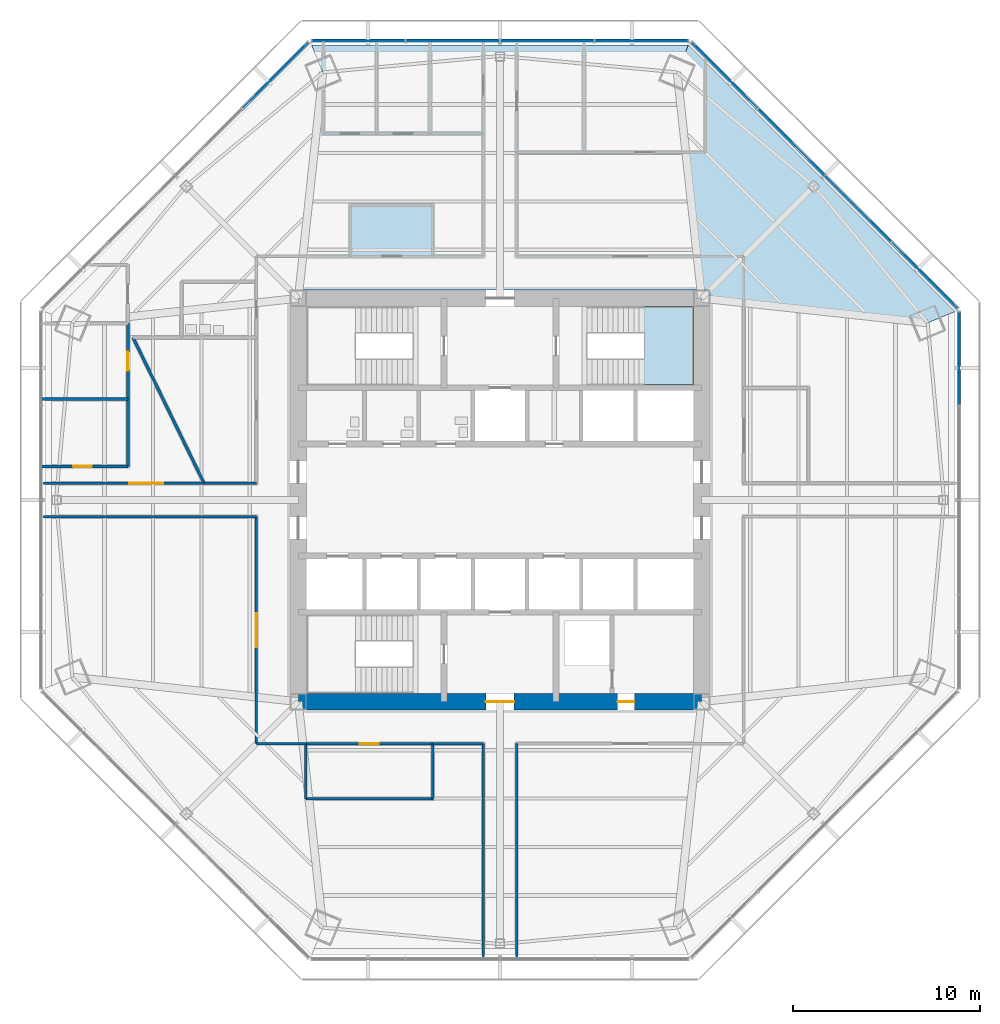
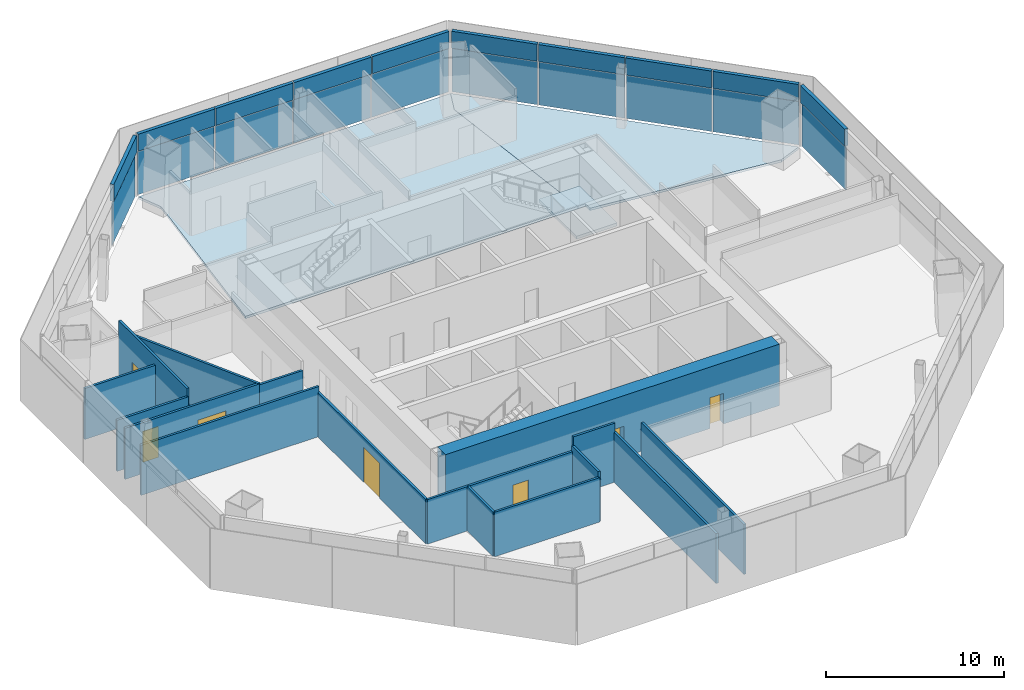
# One storey, part 8 of 14: 20 plates, 17 walls, 7 doors, 3 slabs, 7 openings, 5 elements without a shape of their own.
"""IFC4 building model written with IfcOpenShell, lengths in metres."""

from ifc_helpers import new_model, si_unit, direction, frame, frame_2d, origin, origin_2d, place, context, subcontext, project, spatial, polyline, rectangle, outline, extrude, source, transform, mapped, material, layer, layer_set, type_object, type_shapes, element, fill, aggregate, save


model = new_model("IFC4")

# Units and contexts
model_context = context("Model", 3, precision=1e-05, world=origin(), true_north=direction((0.0, 1.0)))
body_context = subcontext(model_context, "Body", "Model", "MODEL_VIEW")
ifc_project = project(units=[si_unit("LENGTHUNIT", "METRE"), si_unit("AREAUNIT", "SQUARE_METRE"), si_unit("VOLUMEUNIT", "CUBIC_METRE"), si_unit("PLANEANGLEUNIT", "RADIAN"), si_unit("MASSUNIT", "GRAM", prefix="KILO")], contexts=[model_context])

# Site, building, storey
site_placement = place(None, origin())
site = spatial("IfcSite", under=ifc_project, at=site_placement, CompositionType="ELEMENT")
building_placement = place(site_placement, origin())
building = spatial("IfcBuilding", under=site, at=building_placement, Name="Mashrafa Tower", CompositionType="ELEMENT")
storey_placement = place(building_placement, frame((0.0, 0.0, 121.800048828125)))
storey = spatial("IfcBuildingStorey", under=building, at=storey_placement, Name="L27", CompositionType="ELEMENT", Elevation=121.800048828125)

# Slabs
ifc_material_1 = material(Name="Concrete C35/45", Category="concrete")
ifc_layer_1 = layer(ifc_material_1, 0.1650390625)
ifc_layer_set_1 = layer_set([ifc_layer_1], Name="Floor slab 165")
slab_type_1 = type_object("IfcSlabType", Name="Floor slab 165", PredefinedType="FLOOR", material=ifc_layer_set_1)
slab_1_placement = place(storey_placement, frame((0.0, 0.0, -0.1650390625)))
element("IfcSlab", 1, at=slab_1_placement, inside=storey, type_object=slab_type_1, Name="Floor slab L27 north-east bay", PredefinedType="FLOOR", context=body_context, shape_type="SweptSolid", body=[
    extrude(outline(polyline([(24.369140625, 10.093994140625), (22.8955078125, 9.483642578125), (11.25, 10.7509765625), (11.25, 11.25), (10.7509765625, 11.25), (9.483642578125, 22.8955078125), (10.093994140625, 24.369140625), (24.369140625, 10.093994140625)])), origin(), (0.0, 0.0, 1.0), 0.1650390625),
])
slab_2_placement = place(storey_placement, frame((0.0, 0.0, -0.1650390625)))
element("IfcSlab", 2, at=slab_2_placement, inside=storey, type_object=slab_type_1, Name="Floor slab L27 north bay", PredefinedType="FLOOR", context=body_context, shape_type="SweptSolid", body=[
    extrude(outline(polyline([(-10.093994140625, 24.369140625), (10.093994140625, 24.369140625), (10.093994140625, 24.369140625), (9.483642578125, 22.8955078125), (10.7509765625, 11.25), (-10.7509765625, 11.25), (-9.483642578125, 22.8955078125), (-10.093994140625, 24.369140625), (-10.093994140625, 24.369140625)])), origin(), (0.0, 0.0, 1.0), 0.1650390625),
])

# Stair, slab
ifc_material_2 = material(Name="Exit stair 1400")
stair_type = type_object("IfcStairType", Name="Exit stair 1400", PredefinedType="HALF_TURN_STAIR", material=ifc_material_2)
stair_placement = place(storey_placement, origin())
stair = element("IfcStair", 3, at=stair_placement, inside=storey, type_object=stair_type, Name="Stair S2 L27", PredefinedType="HALF_TURN_STAIR")
ifc_material_3 = material(Name="Concrete C32/40", Category="concrete")
ifc_layer_2 = layer(ifc_material_3, 0.199951171875)
ifc_layer_set_2 = layer_set([ifc_layer_2], Name="Stair landing 200")
slab_type_2 = type_object("IfcSlabType", Name="Stair landing 200", PredefinedType="LANDING", material=ifc_layer_set_2)
slab_3_placement = place(storey_placement, frame((0.0, 0.0, 1.89990234375)))
slab_3 = element("IfcSlab", 4, at=slab_3_placement, type_object=slab_type_2, Name="S2 landing 2", PredefinedType="LANDING", context=body_context, shape_type="SweptSolid", body=[
    extrude(outline(polyline([(7.719970703125, 6.14990234375), (10.35009765625, 6.14990234375), (10.35009765625, 10.35009765625), (7.719970703125, 10.35009765625), (7.719970703125, 6.14990234375)])), origin(), (0.0, 0.0, 1.0), 0.199951171875),
])
aggregate(stair, [slab_3])

# Curtain wall, plate
ifc_material_4 = material(Name="Unitised aluminium curtain wall", Category="aluminium")
curtain_wall_type = type_object("IfcCurtainWallType", Name="Office curtain wall, zone 2 CW-B 225 deep", PredefinedType="NOTDEFINED", material=ifc_material_4)
curtain_wall_1_placement = place(storey_placement, origin())
curtain_wall_1 = element("IfcCurtainWall", 5, at=curtain_wall_1_placement, inside=storey, type_object=curtain_wall_type, Name="Office curtain wall, zone 2 L27 east", PredefinedType="NOTDEFINED")
ifc_material_5 = material(Name="Insulated double glazing, low-e, neutral", Category="glass")
ifc_layer_3 = layer(ifc_material_5, 0.028076171875)
ifc_layer_set_3 = layer_set([ifc_layer_3], Name="Vision panel CW-B 28")
plate_type_1 = type_object("IfcPlateType", Name="Vision panel CW-B 28", PredefinedType="CURTAIN_PANEL", material=ifc_layer_set_3)
shared_shape_1 = source(origin(), body_context, "Body", "SweptSolid", [
    extrude(rectangle(XDim=4.962646484375, YDim=0.028076171875, at=origin_2d()), origin(), (0.0, 0.0, 1.0), 2.9599609375),
])
plate_1_placement = place(storey_placement, frame((24.569091796875, 7.573974609375, 0.0), z_axis=(0.0, 0.0, 1.0), x_axis=(0.0, 1.0, 0.0)))
plate_1 = element("IfcPlate", 6, at=plate_1_placement, type_object=plate_type_1, Name="CW-B vision panel 4", PredefinedType="CURTAIN_PANEL", context=body_context, shape_type="MappedRepresentation", body=[
    mapped(shared_shape_1, transform((0.0, 0.0, 0.0))),
])

# Curtain wall, plates
curtain_wall_2_placement = place(storey_placement, origin())
curtain_wall_2 = element("IfcCurtainWall", 7, at=curtain_wall_2_placement, inside=storey, type_object=curtain_wall_type, Name="Office curtain wall, zone 2 L27 north-east", PredefinedType="NOTDEFINED")
plate_2_placement = place(storey_placement, frame((22.728515625, 12.017333984375, 0.0), z_axis=(0.0, 0.0, 1.0), x_axis=(-0.707106781187, 0.707106781187, 0.0)))
plate_2 = element("IfcPlate", 8, at=plate_2_placement, type_object=plate_type_1, Name="CW-B vision panel 1", PredefinedType="CURTAIN_PANEL", context=body_context, shape_type="MappedRepresentation", body=[
    mapped(shared_shape_1, transform((0.0, 0.0, 0.0))),
])
plate_3_placement = place(storey_placement, frame((12.017333984375, 22.728515625, 0.0), z_axis=(0.0, 0.0, 1.0), x_axis=(-0.707106781187, 0.707106781187, 0.0)))
plate_3 = element("IfcPlate", 9, at=plate_3_placement, type_object=plate_type_1, Name="CW-B vision panel 4", PredefinedType="CURTAIN_PANEL", context=body_context, shape_type="MappedRepresentation", body=[
    mapped(shared_shape_1, transform((0.0, 0.0, 0.0))),
])

curtain_wall_3_placement = place(storey_placement, origin())
curtain_wall_3 = element("IfcCurtainWall", 10, at=curtain_wall_3_placement, inside=storey, type_object=curtain_wall_type, Name="Office curtain wall, zone 2 L27 north", PredefinedType="NOTDEFINED")
plate_4_placement = place(storey_placement, frame((7.573974609375, 24.569091796875, 0.0), z_axis=(0.0, 0.0, 1.0), x_axis=(-1.0, 0.0, 0.0)))
plate_4 = element("IfcPlate", 11, at=plate_4_placement, type_object=plate_type_1, Name="CW-B vision panel 1", PredefinedType="CURTAIN_PANEL", context=body_context, shape_type="MappedRepresentation", body=[
    mapped(shared_shape_1, transform((0.0, 0.0, 0.0))),
])
plate_5_placement = place(storey_placement, frame((-7.573974609375, 24.569091796875, 0.0), z_axis=(0.0, 0.0, 1.0), x_axis=(-1.0, 0.0, 0.0)))
plate_5 = element("IfcPlate", 12, at=plate_5_placement, type_object=plate_type_1, Name="CW-B vision panel 4", PredefinedType="CURTAIN_PANEL", context=body_context, shape_type="MappedRepresentation", body=[
    mapped(shared_shape_1, transform((0.0, 0.0, 0.0))),
])

# Curtain wall, plate
curtain_wall_4_placement = place(storey_placement, origin())
curtain_wall_4 = element("IfcCurtainWall", 13, at=curtain_wall_4_placement, inside=storey, type_object=curtain_wall_type, Name="Office curtain wall, zone 2 L27 north-west", PredefinedType="NOTDEFINED")
plate_6_placement = place(storey_placement, frame((-12.017333984375, 22.728515625, 0.0), z_axis=(0.0, 0.0, 1.0), x_axis=(-0.707106781187, -0.707106781187, 0.0)))
plate_6 = element("IfcPlate", 14, at=plate_6_placement, type_object=plate_type_1, Name="CW-B vision panel 1", PredefinedType="CURTAIN_PANEL", context=body_context, shape_type="MappedRepresentation", body=[
    mapped(shared_shape_1, transform((0.0, 0.0, 0.0))),
])

# Plate
ifc_material_6 = material(Name="Insulated aluminium spandrel panel", Category="aluminium")
ifc_layer_4 = layer(ifc_material_6, 0.219970703125)
ifc_layer_set_4 = layer_set([ifc_layer_4], Name="Spandrel panel CW-B 220")
plate_type_2 = type_object("IfcPlateType", Name="Spandrel panel CW-B 220", PredefinedType="CURTAIN_PANEL", material=ifc_layer_set_4)
shared_shape_2 = source(origin(), body_context, "Body", "SweptSolid", [
    extrude(rectangle(XDim=4.962646484375, YDim=0.219970703125, at=origin_2d()), origin(), (0.0, 0.0, 1.0), 1.159912109375),
])
plate_7_placement = place(storey_placement, frame((24.569091796875, 7.573974609375, 3.0400390625), z_axis=(0.0, 0.0, 1.0), x_axis=(0.0, 1.0, 0.0)))
plate_7 = element("IfcPlate", 15, at=plate_7_placement, type_object=plate_type_2, Name="CW-B spandrel panel 4", PredefinedType="CURTAIN_PANEL", context=body_context, shape_type="MappedRepresentation", body=[
    mapped(shared_shape_2, transform((0.0, 0.0, 0.0))),
])

aggregate(curtain_wall_1, [plate_1, plate_7])

plate_8_placement = place(storey_placement, frame((22.728515625, 12.017333984375, 3.0400390625), z_axis=(0.0, 0.0, 1.0), x_axis=(-0.707106781187, 0.707106781187, 0.0)))
plate_8 = element("IfcPlate", 16, at=plate_8_placement, type_object=plate_type_2, Name="CW-B spandrel panel 1", PredefinedType="CURTAIN_PANEL", context=body_context, shape_type="MappedRepresentation", body=[
    mapped(shared_shape_2, transform((0.0, 0.0, 0.0))),
])

plate_9_placement = place(storey_placement, frame((12.017333984375, 22.728515625, 3.0400390625), z_axis=(0.0, 0.0, 1.0), x_axis=(-0.707106781187, 0.707106781187, 0.0)))
plate_9 = element("IfcPlate", 17, at=plate_9_placement, type_object=plate_type_2, Name="CW-B spandrel panel 4", PredefinedType="CURTAIN_PANEL", context=body_context, shape_type="MappedRepresentation", body=[
    mapped(shared_shape_2, transform((0.0, 0.0, 0.0))),
])

plate_10_placement = place(storey_placement, frame((7.573974609375, 24.569091796875, 3.0400390625), z_axis=(0.0, 0.0, 1.0), x_axis=(-1.0, 0.0, 0.0)))
plate_10 = element("IfcPlate", 18, at=plate_10_placement, type_object=plate_type_2, Name="CW-B spandrel panel 1", PredefinedType="CURTAIN_PANEL", context=body_context, shape_type="MappedRepresentation", body=[
    mapped(shared_shape_2, transform((0.0, 0.0, 0.0))),
])

plate_11_placement = place(storey_placement, frame((-7.573974609375, 24.569091796875, 3.0400390625), z_axis=(0.0, 0.0, 1.0), x_axis=(-1.0, 0.0, 0.0)))
plate_11 = element("IfcPlate", 19, at=plate_11_placement, type_object=plate_type_2, Name="CW-B spandrel panel 4", PredefinedType="CURTAIN_PANEL", context=body_context, shape_type="MappedRepresentation", body=[
    mapped(shared_shape_2, transform((0.0, 0.0, 0.0))),
])

plate_12_placement = place(storey_placement, frame((-12.017333984375, 22.728515625, 3.0400390625), z_axis=(0.0, 0.0, 1.0), x_axis=(-0.707106781187, -0.707106781187, 0.0)))
plate_12 = element("IfcPlate", 20, at=plate_12_placement, type_object=plate_type_2, Name="CW-B spandrel panel 1", PredefinedType="CURTAIN_PANEL", context=body_context, shape_type="MappedRepresentation", body=[
    mapped(shared_shape_2, transform((0.0, 0.0, 0.0))),
])

aggregate(curtain_wall_4, [plate_6, plate_12])

shared_shape_3 = source(origin(), body_context, "Body", "SweptSolid", [
    extrude(rectangle(XDim=4.9951171875, YDim=0.028076171875, at=origin_2d()), origin(), (0.0, 0.0, 1.0), 2.9599609375),
])
type_shapes(plate_type_1, [shared_shape_1, shared_shape_3])
plate_13_placement = place(storey_placement, frame((19.162109375, 15.583984375, 0.0), z_axis=(0.0, 0.0, 1.0), x_axis=(-0.707106781187, 0.707106781187, 0.0)))
plate_13 = element("IfcPlate", 21, at=plate_13_placement, type_object=plate_type_1, Name="CW-B vision panel 2", PredefinedType="CURTAIN_PANEL", context=body_context, shape_type="MappedRepresentation", body=[
    mapped(shared_shape_3, transform((0.0, 0.0, 0.0))),
])

plate_14_placement = place(storey_placement, frame((15.583984375, 19.162109375, 0.0), z_axis=(0.0, 0.0, 1.0), x_axis=(-0.707106781187, 0.707106781187, 0.0)))
plate_14 = element("IfcPlate", 22, at=plate_14_placement, type_object=plate_type_1, Name="CW-B vision panel 3", PredefinedType="CURTAIN_PANEL", context=body_context, shape_type="MappedRepresentation", body=[
    mapped(shared_shape_3, transform((0.0, 0.0, 0.0))),
])

plate_15_placement = place(storey_placement, frame((2.530029296875, 24.569091796875, 0.0), z_axis=(0.0, 0.0, 1.0), x_axis=(-1.0, 0.0, 0.0)))
plate_15 = element("IfcPlate", 23, at=plate_15_placement, type_object=plate_type_1, Name="CW-B vision panel 2", PredefinedType="CURTAIN_PANEL", context=body_context, shape_type="MappedRepresentation", body=[
    mapped(shared_shape_3, transform((0.0, 0.0, 0.0))),
])

plate_16_placement = place(storey_placement, frame((-2.530029296875, 24.569091796875, 0.0), z_axis=(0.0, 0.0, 1.0), x_axis=(-1.0, 0.0, 0.0)))
plate_16 = element("IfcPlate", 24, at=plate_16_placement, type_object=plate_type_1, Name="CW-B vision panel 3", PredefinedType="CURTAIN_PANEL", context=body_context, shape_type="MappedRepresentation", body=[
    mapped(shared_shape_3, transform((0.0, 0.0, 0.0))),
])

shared_shape_4 = source(origin(), body_context, "Body", "SweptSolid", [
    extrude(rectangle(XDim=4.9951171875, YDim=0.219970703125, at=origin_2d()), origin(), (0.0, 0.0, 1.0), 1.159912109375),
])
type_shapes(plate_type_2, [shared_shape_2, shared_shape_4])
plate_17_placement = place(storey_placement, frame((19.162109375, 15.583984375, 3.0400390625), z_axis=(0.0, 0.0, 1.0), x_axis=(-0.707106781187, 0.707106781187, 0.0)))
plate_17 = element("IfcPlate", 25, at=plate_17_placement, type_object=plate_type_2, Name="CW-B spandrel panel 2", PredefinedType="CURTAIN_PANEL", context=body_context, shape_type="MappedRepresentation", body=[
    mapped(shared_shape_4, transform((0.0, 0.0, 0.0))),
])

plate_18_placement = place(storey_placement, frame((15.583984375, 19.162109375, 3.0400390625), z_axis=(0.0, 0.0, 1.0), x_axis=(-0.707106781187, 0.707106781187, 0.0)))
plate_18 = element("IfcPlate", 26, at=plate_18_placement, type_object=plate_type_2, Name="CW-B spandrel panel 3", PredefinedType="CURTAIN_PANEL", context=body_context, shape_type="MappedRepresentation", body=[
    mapped(shared_shape_4, transform((0.0, 0.0, 0.0))),
])

aggregate(curtain_wall_2, [plate_2, plate_8, plate_13, plate_17, plate_14, plate_18, plate_3, plate_9])

plate_19_placement = place(storey_placement, frame((2.530029296875, 24.569091796875, 3.0400390625), z_axis=(0.0, 0.0, 1.0), x_axis=(-1.0, 0.0, 0.0)))
plate_19 = element("IfcPlate", 27, at=plate_19_placement, type_object=plate_type_2, Name="CW-B spandrel panel 2", PredefinedType="CURTAIN_PANEL", context=body_context, shape_type="MappedRepresentation", body=[
    mapped(shared_shape_4, transform((0.0, 0.0, 0.0))),
])

plate_20_placement = place(storey_placement, frame((-2.530029296875, 24.569091796875, 3.0400390625), z_axis=(0.0, 0.0, 1.0), x_axis=(-1.0, 0.0, 0.0)))
plate_20 = element("IfcPlate", 28, at=plate_20_placement, type_object=plate_type_2, Name="CW-B spandrel panel 3", PredefinedType="CURTAIN_PANEL", context=body_context, shape_type="MappedRepresentation", body=[
    mapped(shared_shape_4, transform((0.0, 0.0, 0.0))),
])

aggregate(curtain_wall_3, [plate_4, plate_10, plate_15, plate_19, plate_16, plate_20, plate_5, plate_11])

# Wall, openings, doors
ifc_material_7 = material(Name="Concrete C60/75", Category="concrete")
ifc_layer_5 = layer(ifc_material_7, 0.89990234375)
ifc_layer_set_5 = layer_set([ifc_layer_5], Name="Core wall 900 C60/75")
wall_type_1 = type_object("IfcWallType", Name="Core wall 900 C60/75", PredefinedType="SOLIDWALL", material=ifc_layer_set_5)
wall_1_placement = place(storey_placement, frame((-10.800048828125, -10.800048828125, 0.0), z_axis=(0.0, 0.0, 1.0), x_axis=(1.0, 0.0, 0.0)))
wall_1 = element("IfcWall", 29, at=wall_1_placement, inside=storey, type_object=wall_type_1, Name="Core wall CW-S L27", PredefinedType="SOLIDWALL", context=body_context, shape_type="SweptSolid", body=[
    extrude(rectangle(XDim=21.60009765625, YDim=0.89990234375, at=frame_2d((10.800048828125, 0.0))), origin(), (0.0, 0.0, 1.0), 4.199951171875),
])
opening_1_placement = place(wall_1_placement, frame((10.050048828125, 0.0, 0.0)))
opening_1 = element("IfcOpeningElement", 30, at=opening_1_placement, cuts=wall_1, Name="Opening 27.023", PredefinedType="OPENING", context=body_context, shape_type="SweptSolid", body=[
    extrude(rectangle(XDim=1.5, YDim=2.10009765625, at=frame_2d((0.75, 1.050048828125))), frame((0.0, 0.4599609375, 0.0), z_axis=(0.0, -1.0, 0.0), x_axis=(1.0, 0.0, 0.0)), (0.0, 0.0, 1.0), 0.919921875),
])
opening_2_placement = place(wall_1_placement, frame((17.10009765625, 0.0, 0.0)))
opening_2 = element("IfcOpeningElement", 31, at=opening_2_placement, cuts=wall_1, Name="Opening 27.027", PredefinedType="OPENING", context=body_context, shape_type="SweptSolid", body=[
    extrude(rectangle(XDim=0.89990234375, YDim=2.10009765625, at=frame_2d((0.449951171875, 1.050048828125))), frame((0.0, 0.4599609375, 0.0), z_axis=(0.0, -1.0, 0.0), x_axis=(1.0, 0.0, 0.0)), (0.0, 0.0, 1.0), 0.919921875),
])
ifc_material_8 = material(Name="Steel door", Category="steel")
door_type_1 = type_object("IfcDoorType", Name="Lobby door pair 1500 x 2100 90 min", OperationType="DOUBLE_DOOR_SINGLE_SWING", PredefinedType="DOOR", material=ifc_material_8)
door_1_placement = place(opening_1_placement, origin())
door_1 = element("IfcDoor", 32, at=door_1_placement, inside=storey, type_object=door_type_1, Name="Fire-fighting lobby F2 door L27", OperationType="DOUBLE_DOOR_SINGLE_SWING", OverallHeight=2.10009765625, OverallWidth=1.5, PredefinedType="DOOR", context=body_context, shape_type="SweptSolid", body=[
    extrude(rectangle(XDim=1.5, YDim=2.10009765625, at=frame_2d((0.75, 1.050048828125))), frame((0.0, 0.02490234375, 0.0), z_axis=(0.0, -1.0, 0.0), x_axis=(1.0, 0.0, 0.0)), (0.0, 0.0, 1.0), 0.050048828125),
])
fill(opening_1, door_1)
ifc_material_9 = material(Name="Steel door", Category="steel")
door_type_2 = type_object("IfcDoorType", Name="Service door 900 x 2100 90 min", OperationType="USERDEFINED", PredefinedType="DOOR", material=ifc_material_9)
door_2_placement = place(opening_2_placement, origin())
door_2 = element("IfcDoor", 33, at=door_2_placement, inside=storey, type_object=door_type_2, Name="Tenant Store L27 door", OperationType="SINGLE_SWING_LEFT", OverallHeight=2.10009765625, OverallWidth=0.89990234375, PredefinedType="DOOR", context=body_context, shape_type="SweptSolid", body=[
    extrude(rectangle(XDim=0.89990234375, YDim=2.10009765625, at=frame_2d((0.449951171875, 1.050048828125))), frame((0.0, 0.02490234375, 0.0), z_axis=(0.0, -1.0, 0.0), x_axis=(1.0, 0.0, 0.0)), (0.0, 0.0, 1.0), 0.050048828125),
])
fill(opening_2, door_2)

# Wall
ifc_material_10 = material(Name="Gypsum board on steel studs", Category="steel")
ifc_layer_6 = layer(ifc_material_10, 0.14990234375)
ifc_layer_set_6 = layer_set([ifc_layer_6], Name="Corridor partition 150 1 hr")
wall_type_2 = type_object("IfcWallType", Name="Corridor partition 150 1 hr", PredefinedType="PARTITIONING", material=ifc_layer_set_6)
wall_2_placement = place(storey_placement, frame((-13.050048828125, 0.89990234375, 0.0), z_axis=(0.0, 0.0, 1.0), x_axis=(-1.0, 0.0, 0.0)))
element("IfcWall", 34, at=wall_2_placement, inside=storey, type_object=wall_type_2, Name="Corridor wall L27-002", PredefinedType="PARTITIONING", context=body_context, shape_type="SweptSolid", body=[
    extrude(rectangle(XDim=2.796630859375, YDim=0.14990234375, at=frame_2d((1.3984375, 0.0))), origin(), (0.0, 0.0, 1.0), 3.425537109375),
])

# Wall, opening, door
wall_3_placement = place(storey_placement, frame((-10.40087890625, -13.050048828125, 0.0), z_axis=(0.0, 0.0, 1.0), x_axis=(1.0, 0.0, 0.0)))
wall_3 = element("IfcWall", 35, at=wall_3_placement, inside=storey, type_object=wall_type_2, Name="Corridor wall L27-007", PredefinedType="PARTITIONING", context=body_context, shape_type="SweptSolid", body=[
    extrude(rectangle(XDim=6.8017578125, YDim=0.14990234375, at=frame_2d((3.40087890625, 0.0))), origin(), (0.0, 0.0, 1.0), 3.0419921875),
])
opening_3_placement = place(wall_3_placement, frame((2.90087890625, 0.0, 0.0)))
opening_3 = element("IfcOpeningElement", 36, at=opening_3_placement, cuts=wall_3, Name="Opening 27.006", PredefinedType="OPENING", context=body_context, shape_type="SweptSolid", body=[
    extrude(rectangle(XDim=1.0, YDim=2.10009765625, at=frame_2d((0.5, 1.050048828125))), frame((0.0, 0.0849609375, 0.0), z_axis=(0.0, -1.0, 0.0), x_axis=(1.0, 0.0, 0.0)), (0.0, 0.0, 1.0), 0.169921875),
])
ifc_material_11 = material(Name="Timber door", Category="wood")
door_type_3 = type_object("IfcDoorType", Name="Door 1000 x 2100", OperationType="USERDEFINED", PredefinedType="DOOR", material=ifc_material_11)
door_3_placement = place(opening_3_placement, frame((1.0, 0.0, 0.0), z_axis=(0.0, 0.0, 1.0), x_axis=(-1.0, 0.0, 0.0)))
door_3 = element("IfcDoor", 37, at=door_3_placement, inside=storey, type_object=door_type_3, Name="Records Office 27 door", OperationType="SINGLE_SWING_RIGHT", OverallHeight=2.10009765625, OverallWidth=1.0, PredefinedType="DOOR", context=body_context, shape_type="SweptSolid", body=[
    extrude(rectangle(XDim=1.0, YDim=2.10009765625, at=frame_2d((0.5, 1.050048828125))), frame((0.0, 0.02490234375, 0.0), z_axis=(0.0, -1.0, 0.0), x_axis=(1.0, 0.0, 0.0)), (0.0, 0.0, 1.0), 0.050048828125),
])
fill(opening_3, door_3)

wall_4_placement = place(storey_placement, frame((-15.844482421875, 0.89990234375, 0.0), z_axis=(0.0, 0.0, 1.0), x_axis=(-1.0, 0.0, 0.0)))
wall_4 = element("IfcWall", 38, at=wall_4_placement, inside=storey, type_object=wall_type_2, Name="Corridor wall L27-014", PredefinedType="PARTITIONING", context=body_context, shape_type="SweptSolid", body=[
    extrude(rectangle(XDim=8.708740234375, YDim=0.14990234375, at=frame_2d((4.3544921875, 0.0))), origin(), (0.0, 0.0, 1.0), 3.491455078125),
])
opening_4_placement = place(wall_4_placement, frame((2.197265625, 0.0, 0.0)))
opening_4 = element("IfcOpeningElement", 39, at=opening_4_placement, cuts=wall_4, Name="Opening 27.015", PredefinedType="OPENING", context=body_context, shape_type="SweptSolid", body=[
    extrude(rectangle(XDim=1.800048828125, YDim=2.39990234375, at=frame_2d((0.89990234375, 1.199951171875))), frame((0.0, 0.0849609375, 0.0), z_axis=(0.0, -1.0, 0.0), x_axis=(1.0, 0.0, 0.0)), (0.0, 0.0, 1.0), 0.169921875),
])
ifc_material_12 = material(Name="Timber door", Category="wood")
door_type_4 = type_object("IfcDoorType", Name="Door pair 1800 x 2400", OperationType="DOUBLE_DOOR_SINGLE_SWING", PredefinedType="DOOR", material=ifc_material_12)
door_4_placement = place(opening_4_placement, frame((1.800048828125, 0.0, 0.0), z_axis=(0.0, 0.0, 1.0), x_axis=(-1.0, 0.0, 0.0)))
door_4 = element("IfcDoor", 40, at=door_4_placement, inside=storey, type_object=door_type_4, Name="Policy and Programmes Office 27-NW door", OperationType="DOUBLE_DOOR_SINGLE_SWING", OverallHeight=2.39990234375, OverallWidth=1.800048828125, PredefinedType="DOOR", context=body_context, shape_type="SweptSolid", body=[
    extrude(rectangle(XDim=1.800048828125, YDim=2.39990234375, at=frame_2d((0.89990234375, 1.199951171875))), frame((0.0, 0.02490234375, 0.0), z_axis=(0.0, -1.0, 0.0), x_axis=(1.0, 0.0, 0.0)), (0.0, 0.0, 1.0), 0.050048828125),
])
fill(opening_4, door_4)

# Wall
wall_5_placement = place(storey_placement, frame((-24.55126953125, -0.89990234375, 0.0), z_axis=(0.0, 0.0, 1.0), x_axis=(1.0, 0.0, 0.0)))
element("IfcWall", 41, at=wall_5_placement, inside=storey, type_object=wall_type_2, Name="Corridor wall L27-019", PredefinedType="PARTITIONING", context=body_context, shape_type="SweptSolid", body=[
    extrude(rectangle(XDim=11.501220703125, YDim=0.14990234375, at=frame_2d((5.75048828125, 0.0))), origin(), (0.0, 0.0, 1.0), 3.425537109375),
])

# Wall, opening, door
wall_6_placement = place(storey_placement, frame((-13.050048828125, -0.89990234375, 0.0), z_axis=(0.0, 0.0, 1.0), x_axis=(0.0, -1.0, 0.0)))
wall_6 = element("IfcWall", 42, at=wall_6_placement, inside=storey, type_object=wall_type_2, Name="Corridor wall L27-020", PredefinedType="PARTITIONING", context=body_context, shape_type="SweptSolid", body=[
    extrude(rectangle(XDim=12.150146484375, YDim=0.14990234375, at=frame_2d((6.0751953125, 0.0))), origin(), (0.0, 0.0, 1.0), 3.0419921875),
])
opening_5_placement = place(wall_6_placement, frame((5.175048828125, 0.0, 0.0)))
opening_5 = element("IfcOpeningElement", 43, at=opening_5_placement, cuts=wall_6, Name="Opening 27.016", PredefinedType="OPENING", context=body_context, shape_type="SweptSolid", body=[
    extrude(rectangle(XDim=1.800048828125, YDim=2.39990234375, at=frame_2d((0.89990234375, 1.199951171875))), frame((0.0, 0.0849609375, 0.0), z_axis=(0.0, -1.0, 0.0), x_axis=(1.0, 0.0, 0.0)), (0.0, 0.0, 1.0), 0.169921875),
])
door_5_placement = place(opening_5_placement, frame((1.800048828125, 0.0, 0.0), z_axis=(0.0, 0.0, 1.0), x_axis=(-1.0, 0.0, 0.0)))
door_5 = element("IfcDoor", 44, at=door_5_placement, inside=storey, type_object=door_type_4, Name="Licensing Office 27-SW door", OperationType="DOUBLE_DOOR_SINGLE_SWING", OverallHeight=2.39990234375, OverallWidth=1.800048828125, PredefinedType="DOOR", context=body_context, shape_type="SweptSolid", body=[
    extrude(rectangle(XDim=1.800048828125, YDim=2.39990234375, at=frame_2d((0.89990234375, 1.199951171875))), frame((0.0, 0.02490234375, 0.0), z_axis=(0.0, -1.0, 0.0), x_axis=(1.0, 0.0, 0.0)), (0.0, 0.0, 1.0), 0.050048828125),
])
fill(opening_5, door_5)

# Walls
wall_7_placement = place(storey_placement, frame((-13.050048828125, -13.050048828125, 0.0), z_axis=(0.0, 0.0, 1.0), x_axis=(1.0, 0.0, 0.0)))
element("IfcWall", 45, at=wall_7_placement, inside=storey, type_object=wall_type_2, Name="Corridor wall L27-021", PredefinedType="PARTITIONING", context=body_context, shape_type="SweptSolid", body=[
    extrude(rectangle(XDim=2.651123046875, YDim=0.14990234375, at=frame_2d((1.32568359375, 0.0))), origin(), (0.0, 0.0, 1.0), 3.0419921875),
])
wall_8_placement = place(storey_placement, frame((-3.60107421875, -13.050048828125, 0.0), z_axis=(0.0, 0.0, 1.0), x_axis=(1.0, 0.0, 0.0)))
element("IfcWall", 46, at=wall_8_placement, inside=storey, type_object=wall_type_2, Name="Corridor wall L27-022", PredefinedType="PARTITIONING", context=body_context, shape_type="SweptSolid", body=[
    extrude(rectangle(XDim=2.701171875, YDim=0.14990234375, at=frame_2d((1.3505859375, 0.0))), origin(), (0.0, 0.0, 1.0), 4.034912109375),
])
for number, where, z_axis, x_axis, name in (
    (47, (-0.89990234375, -13.050048828125, 0.0), (0.0, 0.0, 1.0), (0.0, -1.0, 0.0), "Corridor wall L27-023"),
    (48, (0.89990234375, -24.55126953125, 0.0), (0.0, 0.0, 1.0), (0.0, 1.0, 0.0), "Corridor wall L27-024"),
):
    element("IfcWall", number, at=place(storey_placement, frame(where, z_axis=z_axis, x_axis=x_axis)), inside=storey, type_object=wall_type_2, Name=name, PredefinedType="PARTITIONING", context=body_context, shape_type="SweptSolid", body=[
        extrude(rectangle(XDim=11.501220703125, YDim=0.14990234375, at=frame_2d((5.75048828125, 0.0))), origin(), (0.0, 0.0, 1.0), 3.425537109375),
    ])
ifc_material_13 = material(Name="Gypsum board on steel studs", Category="steel")
ifc_layer_7 = layer(ifc_material_13, 0.14990234375)
ifc_layer_set_7 = layer_set([ifc_layer_7], Name="Partition 150")
wall_type_3 = type_object("IfcWallType", Name="Partition 150", PredefinedType="PARTITIONING", material=ifc_layer_set_7)
wall_9_placement = place(storey_placement, frame((-19.64990234375, 8.699951171875, 0.0), z_axis=(0.0, 0.0, 1.0), x_axis=(0.438358227548, -0.898800347319, 0.0)))
element("IfcWall", 49, at=wall_9_placement, inside=storey, type_object=wall_type_3, Name="Partition wall L27-030", PredefinedType="PARTITIONING", context=body_context, shape_type="SweptSolid", body=[
    extrude(rectangle(XDim=8.67822265625, YDim=0.14990234375, at=frame_2d((4.339111328125, 0.0))), origin(), (0.0, 0.0, 1.0), 3.499267578125),
])
wall_10_placement = place(storey_placement, frame((-10.39990234375, -13.050048828125, 0.0), z_axis=(0.0, 0.0, 1.0), x_axis=(0.0, -1.0, 0.0)))
element("IfcWall", 50, at=wall_10_placement, inside=storey, type_object=wall_type_3, Name="Partition wall L27-039", PredefinedType="PARTITIONING", context=body_context, shape_type="SweptSolid", body=[
    extrude(rectangle(XDim=2.949951171875, YDim=0.14990234375, at=frame_2d((1.47509765625, 0.0))), origin(), (0.0, 0.0, 1.0), 3.0419921875),
])
wall_11_placement = place(storey_placement, frame((-10.39990234375, -16.0, 0.0), z_axis=(0.0, 0.0, 1.0), x_axis=(1.0, 0.0, 0.0)))
element("IfcWall", 51, at=wall_11_placement, inside=storey, type_object=wall_type_3, Name="Partition wall L27-040", PredefinedType="PARTITIONING", context=body_context, shape_type="SweptSolid", body=[
    extrude(rectangle(XDim=6.7998046875, YDim=0.14990234375, at=frame_2d((3.39990234375, 0.0))), origin(), (0.0, 0.0, 1.0), 3.0419921875),
])
wall_12_placement = place(storey_placement, frame((-3.60009765625, -16.0, 0.0), z_axis=(0.0, 0.0, 1.0), x_axis=(0.0, 1.0, 0.0)))
element("IfcWall", 52, at=wall_12_placement, inside=storey, type_object=wall_type_3, Name="Partition wall L27-041", PredefinedType="PARTITIONING", context=body_context, shape_type="SweptSolid", body=[
    extrude(rectangle(XDim=2.949951171875, YDim=0.14990234375, at=frame_2d((1.47509765625, 0.0))), origin(), (0.0, 0.0, 1.0), 3.425537109375),
])
wall_13_placement = place(storey_placement, frame((-24.55126953125, 5.39990234375, 0.0), z_axis=(0.0, 0.0, 1.0), x_axis=(1.0, 0.0, 0.0)))
element("IfcWall", 53, at=wall_13_placement, inside=storey, type_object=wall_type_3, Name="Partition wall L27-049", PredefinedType="PARTITIONING", context=body_context, shape_type="SweptSolid", body=[
    extrude(rectangle(XDim=4.632080078125, YDim=0.14990234375, at=frame_2d((2.31591796875, 0.0))), origin(), (0.0, 0.0, 1.0), 3.491455078125),
])

# Wall, opening, door
wall_14_placement = place(storey_placement, frame((-19.919189453125, 9.45703125, 0.0), z_axis=(0.0, 0.0, 1.0), x_axis=(0.0, -1.0, 0.0)))
wall_14 = element("IfcWall", 54, at=wall_14_placement, inside=storey, type_object=wall_type_3, Name="Partition wall L27-050", PredefinedType="PARTITIONING", context=body_context, shape_type="SweptSolid", body=[
    extrude(rectangle(XDim=7.656982421875, YDim=0.14990234375, at=frame_2d((3.82861328125, 0.0))), origin(), (0.0, 0.0, 1.0), 4.034912109375),
])
opening_6_placement = place(wall_14_placement, frame((1.528564453125, 0.0, 0.0)))
opening_6 = element("IfcOpeningElement", 55, at=opening_6_placement, cuts=wall_14, Name="Opening 27.009", PredefinedType="OPENING", context=body_context, shape_type="SweptSolid", body=[
    extrude(rectangle(XDim=1.0, YDim=2.10009765625, at=frame_2d((0.5, 1.050048828125))), frame((0.0, 0.0849609375, 0.0), z_axis=(0.0, -1.0, 0.0), x_axis=(1.0, 0.0, 0.0)), (0.0, 0.0, 1.0), 0.169921875),
])
door_6_placement = place(opening_6_placement, frame((1.0, 0.0, 0.0), z_axis=(0.0, 0.0, 1.0), x_axis=(-1.0, 0.0, 0.0)))
door_6 = element("IfcDoor", 56, at=door_6_placement, inside=storey, type_object=door_type_3, Name="Case Officer's Office 27-NW-2 door", OperationType="SINGLE_SWING_RIGHT", OverallHeight=2.10009765625, OverallWidth=1.0, PredefinedType="DOOR", context=body_context, shape_type="SweptSolid", body=[
    extrude(rectangle(XDim=1.0, YDim=2.10009765625, at=frame_2d((0.5, 1.050048828125))), frame((0.0, 0.02490234375, 0.0), z_axis=(0.0, -1.0, 0.0), x_axis=(1.0, 0.0, 0.0)), (0.0, 0.0, 1.0), 0.050048828125),
])
fill(opening_6, door_6)

wall_15_placement = place(storey_placement, frame((-24.55322265625, 1.800048828125, 0.0), z_axis=(0.0, 0.0, 1.0), x_axis=(1.0, 0.0, 0.0)))
wall_15 = element("IfcWall", 57, at=wall_15_placement, inside=storey, type_object=wall_type_3, Name="Partition wall L27-051", PredefinedType="PARTITIONING", context=body_context, shape_type="SweptSolid", body=[
    extrude(rectangle(XDim=4.634033203125, YDim=0.14990234375, at=frame_2d((2.31689453125, 0.0))), origin(), (0.0, 0.0, 1.0), 3.491455078125),
])
opening_7_placement = place(wall_15_placement, frame((1.698974609375, 0.0, 0.0)))
opening_7 = element("IfcOpeningElement", 58, at=opening_7_placement, cuts=wall_15, Name="Opening 27.010", PredefinedType="OPENING", context=body_context, shape_type="SweptSolid", body=[
    extrude(rectangle(XDim=1.0, YDim=2.10009765625, at=frame_2d((0.5, 1.050048828125))), frame((0.0, 0.0849609375, 0.0), z_axis=(0.0, -1.0, 0.0), x_axis=(1.0, 0.0, 0.0)), (0.0, 0.0, 1.0), 0.169921875),
])
door_7_placement = place(opening_7_placement, origin())
door_7 = element("IfcDoor", 59, at=door_7_placement, inside=storey, type_object=door_type_3, Name="Case Officer's Office 27-NW-3 door", OperationType="SINGLE_SWING_LEFT", OverallHeight=2.10009765625, OverallWidth=1.0, PredefinedType="DOOR", context=body_context, shape_type="SweptSolid", body=[
    extrude(rectangle(XDim=1.0, YDim=2.10009765625, at=frame_2d((0.5, 1.050048828125))), frame((0.0, 0.02490234375, 0.0), z_axis=(0.0, -1.0, 0.0), x_axis=(1.0, 0.0, 0.0)), (0.0, 0.0, 1.0), 0.050048828125),
])
fill(opening_7, door_7)

save(model, "model.ifc")
